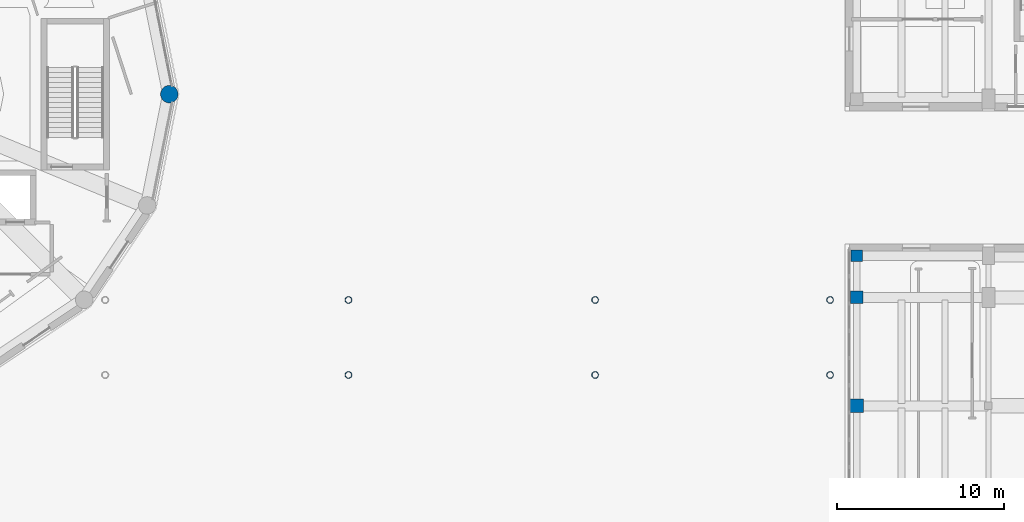
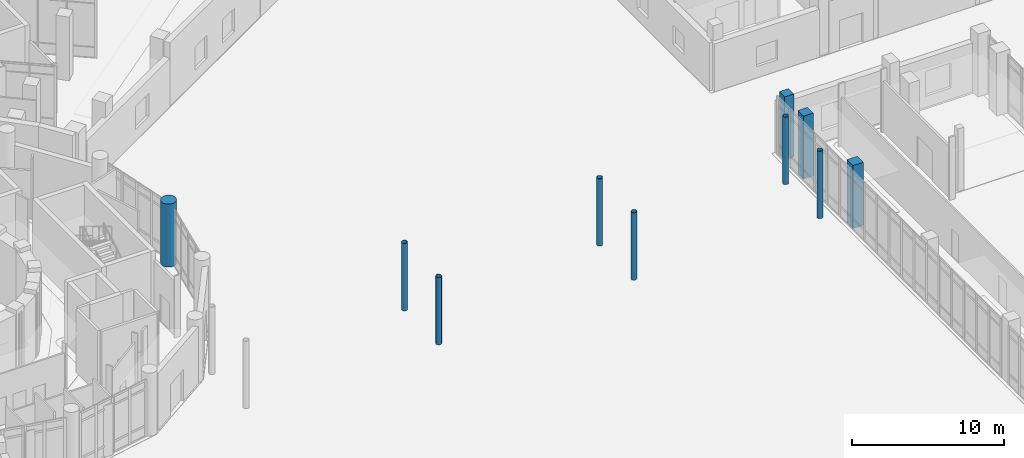
# One storey, part 5 of 74: 10 columns.
"""IFC4 building model written with IfcOpenShell, lengths in metres."""

import ifcopenshell
import ifcopenshell.guid

model = None  # the IFC model being written
_history = None  # IfcOwnerHistory: only IFC2X3 demands one
_inside = {}  # id of a spatial element -> (the spatial element, [elements in it])
_under = {}  # id of a project, library or spatial element -> (it, [spatial elements below it])
_declared = {}  # id of a project -> (the project, [libraries it declares])
_typed = {}  # id of a type object -> (the type object, [elements of that type])
_made_of = {}  # id of a material, layer set ... -> (it, [elements and type objects made of it])


def new_model(schema):
    """Start an empty IFC model of exactly this schema.

    Asked for "IFC4X3", IfcOpenShell would pick the latest addendum, in which some entities
    have other attributes; the version numbers below select the first issue.
    IFC2X3 requires an IfcOwnerHistory on every rooted entity: one is made here for all.
    """
    global model, _history
    if schema == "IFC4X3":
        model = ifcopenshell.file(schema_version=(4, 3, 0, 0))
    else:
        model = ifcopenshell.file(schema=schema)
    _inside.clear()
    _under.clear()
    _declared.clear()
    _typed.clear()
    _made_of.clear()
    _history = None
    if model.schema == "IFC2X3":
        org = make("IfcOrganization", Name="unknown")
        user = make(
            "IfcPersonAndOrganization",
            ThePerson=make("IfcPerson", FamilyName="unknown"),
            TheOrganization=org,
        )
        app = make(
            "IfcApplication",
            ApplicationDeveloper=org,
            Version="unknown",
            ApplicationFullName="unknown",
            ApplicationIdentifier="unknown",
        )
        _history = make(
            "IfcOwnerHistory",
            OwningUser=user,
            OwningApplication=app,
            ChangeAction="ADDED",
            CreationDate=0,
        )
    return model


def make(cls, **values):
    """One entity of the class cls with the attributes given. An attribute that is None is left unset."""
    return model.create_entity(
        cls, **{name: value for name, value in values.items() if value is not None}
    )


def rooted(cls, **values):
    """An entity with a GlobalId (a new one), such as an element, a storey or a relation."""
    return make(cls, GlobalId=ifcopenshell.guid.new(), OwnerHistory=_history, **values)


def si_unit(unit_type, name, prefix=None):
    """IfcSIUnit, for example si_unit("LENGTHUNIT", "METRE", prefix="MILLI")."""
    return make("IfcSIUnit", UnitType=unit_type, Prefix=prefix, Name=name)


def assignment(units):
    """IfcUnitAssignment: the units of a project."""
    return None if units is None else make("IfcUnitAssignment", Units=units)


def point(xyz):
    """IfcCartesianPoint."""
    return None if xyz is None else make("IfcCartesianPoint", Coordinates=xyz)


def direction(xyz):
    """IfcDirection."""
    return None if xyz is None else make("IfcDirection", DirectionRatios=xyz)


def frame(location, z_axis=None, x_axis=None):
    """IfcAxis2Placement3D, a coordinate frame: its origin and axes. An axis left out is left unset."""
    return make(
        "IfcAxis2Placement3D",
        Location=point(location),
        Axis=direction(z_axis),
        RefDirection=direction(x_axis),
    )


def frame_2d(location, x_axis=None):
    """IfcAxis2Placement2D, a coordinate frame in the plane: its origin and x axis."""
    return make(
        "IfcAxis2Placement2D", Location=point(location), RefDirection=direction(x_axis)
    )


def origin():
    """The frame at (0, 0, 0) with its axes left unset."""
    return frame((0.0, 0.0, 0.0))


def origin_2d():
    """The frame at (0, 0) in the plane with its x axis left unset."""
    return frame_2d((0.0, 0.0))


def place(relative_to, where):
    """IfcLocalPlacement: puts the frame where relative to a parent placement (None: the world)."""
    return make(
        "IfcLocalPlacement", PlacementRelTo=relative_to, RelativePlacement=where
    )


def context(
    kind, dimensions, precision=None, world=None, true_north=None, identifier=None
):
    """IfcGeometricRepresentationContext, for example the 3D "Model" context."""
    return make(
        "IfcGeometricRepresentationContext",
        ContextIdentifier=identifier,
        ContextType=kind,
        CoordinateSpaceDimension=dimensions,
        Precision=precision,
        WorldCoordinateSystem=world,
        TrueNorth=true_north,
    )


def subcontext(parent, identifier, kind, view, scale=None):
    """IfcGeometricRepresentationSubContext, for example "Body" below "Model"."""
    return make(
        "IfcGeometricRepresentationSubContext",
        ContextIdentifier=identifier,
        ContextType=kind,
        ParentContext=parent,
        TargetScale=scale,
        TargetView=view,
    )


def project(units=None, contexts=None):
    """IfcProject with its units and contexts."""
    return rooted(
        "IfcProject",
        Name="project",
        RepresentationContexts=contexts,
        UnitsInContext=assignment(units),
    )


def spatial(cls, under=None, at=None, **own):
    """A site, building, storey or space (cls), placed at a placement, below another one or the project."""
    s = rooted(cls, ObjectPlacement=at, **own)
    if under is not None:
        _under.setdefault(under.id(), (under, []))[1].append(s)
    return s


def profile(cls, at=None, kind="AREA", **sizes):
    """A parametric profile (cls). Its sizes go by their IFC names, for example OverallWidth=200.0."""
    return make(cls, ProfileType=kind, Position=at, **sizes)


def rectangle(**sizes):
    """IfcRectangleProfileDef."""
    return profile("IfcRectangleProfileDef", **sizes)


def circle(**sizes):
    """IfcCircleProfileDef."""
    return profile("IfcCircleProfileDef", **sizes)


def hollow_circle(**sizes):
    """IfcCircleHollowProfileDef."""
    return profile("IfcCircleHollowProfileDef", **sizes)


def extrude(swept, where, along, depth):
    """IfcExtrudedAreaSolid: the profile swept, set in the frame where, extruded along a direction by depth."""
    return make(
        "IfcExtrudedAreaSolid",
        SweptArea=swept,
        Position=where,
        ExtrudedDirection=direction(along),
        Depth=depth,
    )


def shape(context_of_items, identifier, shape_type, items):
    """IfcShapeRepresentation: the items that make up one representation, for example the "Body"."""
    return make(
        "IfcShapeRepresentation",
        ContextOfItems=context_of_items,
        RepresentationIdentifier=identifier,
        RepresentationType=shape_type,
        Items=items,
    )


def material(Name=None, Category=None):
    """IfcMaterial."""
    return make("IfcMaterial", Name=Name, Category=Category)


def material_profile(
    of_material, cross_section, Name=None, Category=None, Priority=None
):
    """IfcMaterialProfile: a cross section and its material."""
    return make(
        "IfcMaterialProfile",
        Name=Name,
        Material=of_material,
        Profile=cross_section,
        Priority=Priority,
        Category=Category,
    )


def profile_set(profiles, Name=None, composite=None):
    """IfcMaterialProfileSet."""
    return make(
        "IfcMaterialProfileSet",
        Name=Name,
        MaterialProfiles=profiles,
        CompositeProfile=composite,
    )


def made_of(thing, what):
    """Note that an element or type object is made of a material, layer set ...; save() writes the relation."""
    if what is not None:
        _made_of.setdefault(what.id(), (what, []))[1].append(thing)
    return thing


def type_object(cls, material=None, **own):
    """A type object (cls), such as IfcWallType, which elements share."""
    return made_of(rooted(cls, **own), material)


def element(
    cls,
    number,
    at=None,
    inside=None,
    cuts=None,
    type_object=None,
    material=None,
    context=None,
    identifier="Body",
    shape_type=None,
    held_by="IfcProductDefinitionShape",
    body=None,
    shapes=None,
    **own,
):
    """One element of the class cls, such as IfcWall. Its Tag is "e" and its number.

    at: its placement. inside: the storey or other place that contains it. cuts: it is an
    opening in that element (IfcRelVoidsElement). A single representation is given by context,
    identifier, shape_type and body (its items); several are given by shapes. held_by: the class
    of the entity that holds the representations. save() writes the other relations.
    """
    e = rooted(cls, Tag="e%d" % number, ObjectPlacement=at, **own)
    if body is not None:
        shapes = [shape(context, identifier, shape_type, body)]
    if shapes is not None:
        e.Representation = make(held_by, Representations=shapes)
    if inside is not None:
        _inside.setdefault(inside.id(), (inside, []))[1].append(e)
    if cuts is not None:
        rooted(
            "IfcRelVoidsElement", RelatingBuildingElement=cuts, RelatedOpeningElement=e
        )
    if type_object is not None:
        _typed.setdefault(type_object.id(), (type_object, []))[1].append(e)
    return made_of(e, material)


def aggregate(whole, parts):
    """IfcRelAggregates: a whole, such as a stair, and the parts it consists of."""
    return rooted("IfcRelAggregates", RelatingObject=whole, RelatedObjects=parts)


def save(model, path):
    """Write the relations noted so far, then the file.

    IfcRelAggregates (storeys below a building ...), IfcRelContainedInSpatialStructure (elements
    in a storey), IfcRelDefinesByType, IfcRelAssociatesMaterial and IfcRelDeclares: one each for
    every whole, place, type object, material and project.
    """
    for whole, parts in _under.values():
        aggregate(whole, parts)
    for where, things in _inside.values():
        rooted(
            "IfcRelContainedInSpatialStructure",
            RelatedElements=things,
            RelatingStructure=where,
        )
    for kind, things in _typed.values():
        rooted("IfcRelDefinesByType", RelatedObjects=things, RelatingType=kind)
    for what, things in _made_of.values():
        rooted("IfcRelAssociatesMaterial", RelatedObjects=things, RelatingMaterial=what)
    for by, libraries in _declared.values():
        rooted("IfcRelDeclares", RelatingContext=by, RelatedDefinitions=libraries)
    model.write(path)


model = new_model("IFC4")

# Units and contexts
model_context = context("Model", 3, precision=1e-05, world=origin(), true_north=direction((0.0, 1.0)))
body_context = subcontext(model_context, "Body", "Model", "MODEL_VIEW")
ifc_project = project(units=[si_unit("LENGTHUNIT", "METRE"), si_unit("AREAUNIT", "SQUARE_METRE"), si_unit("VOLUMEUNIT", "CUBIC_METRE"), si_unit("PLANEANGLEUNIT", "RADIAN"), si_unit("MASSUNIT", "GRAM", prefix="KILO")], contexts=[model_context])

# Site, building, storey
site_placement = place(None, origin())
site = spatial("IfcSite", under=ifc_project, at=site_placement, CompositionType="ELEMENT")
building_placement = place(site_placement, origin())
building = spatial("IfcBuilding", under=site, at=building_placement, Name="Soyqirgoq Riverine Aquarium", CompositionType="ELEMENT")
storey_placement = place(building_placement, origin())
storey = spatial("IfcBuildingStorey", under=building, at=storey_placement, Name="L01", CompositionType="ELEMENT", Elevation=0.0)

# Columns
ifc_material_1 = material(Name="Concrete C40/50", Category="concrete")
ifc_material_profile_1 = material_profile(ifc_material_1, circle(Radius=0.52490234375, at=origin_2d()), Name="RC-COL D1050")
ifc_profile_set_1 = profile_set([ifc_material_profile_1], Name="Concrete C40/50")
column_type_1 = type_object("IfcColumnType", Name="Col_Circ_D1050", PredefinedType="COLUMN", material=ifc_profile_set_1)
column_1_placement = place(storey_placement, frame((73.449951171875, 57.0, 0.0), z_axis=(0.0, 0.0, 1.0), x_axis=(1.0, 0.0, 0.0)))
element("IfcColumn", 1, at=column_1_placement, inside=storey, type_object=column_type_1, Name="V1 Column V1-CO01 L01", PredefinedType="COLUMN", context=body_context, shape_type="SweptSolid", body=[
    extrude(circle(Radius=0.52490234375, at=origin_2d()), origin(), (0.0, 0.0, 1.0), 5.050048828125),
])
ifc_material_2 = material(Name="Concrete C40/50", Category="concrete")
ifc_material_profile_2 = material_profile(ifc_material_2, rectangle(XDim=0.699951171875, YDim=0.699951171875, at=origin_2d()), Name="RC 700x700")
ifc_profile_set_2 = profile_set([ifc_material_profile_2], Name="Concrete C40/50")
column_type_2 = type_object("IfcColumnType", Name="Col_RC_700x700", PredefinedType="COLUMN", material=ifc_profile_set_2)
column_2_placement = place(storey_placement, frame((114.699951171875, 47.300048828125, 0.0), z_axis=(0.0, 0.0, 1.0), x_axis=(1.0, 0.0, 0.0)))
element("IfcColumn", 2, at=column_2_placement, inside=storey, type_object=column_type_2, Name="V6 Column V6-C-07 L01", PredefinedType="COLUMN", context=body_context, shape_type="SweptSolid", body=[
    extrude(rectangle(XDim=0.699951171875, YDim=0.699951171875, at=origin_2d()), origin(), (0.0, 0.0, 1.0), 5.050048828125),
])
ifc_material_3 = material(Name="Concrete C40/50", Category="concrete")
ifc_material_profile_3 = material_profile(ifc_material_3, rectangle(XDim=0.75, YDim=0.75, at=origin_2d()), Name="RC 750x750")
ifc_profile_set_3 = profile_set([ifc_material_profile_3], Name="Concrete C40/50")
column_type_3 = type_object("IfcColumnType", Name="Col_RC_750x750", PredefinedType="COLUMN", material=ifc_profile_set_3)
column_3_placement = place(storey_placement, frame((114.699951171875, 44.800048828125, 0.0), z_axis=(0.0, 0.0, 1.0), x_axis=(1.0, 0.0, 0.0)))
element("IfcColumn", 3, at=column_3_placement, inside=storey, type_object=column_type_3, Name="V6 Column V6-C-06 L01", PredefinedType="COLUMN", context=body_context, shape_type="SweptSolid", body=[
    extrude(rectangle(XDim=0.75, YDim=0.75, at=origin_2d()), origin(), (0.0, 0.0, 1.0), 5.050048828125),
])
ifc_material_4 = material(Name="Concrete C40/50", Category="concrete")
ifc_material_profile_4 = material_profile(ifc_material_4, rectangle(XDim=0.800048828125, YDim=0.800048828125, at=origin_2d()), Name="RC 800x800")
ifc_profile_set_4 = profile_set([ifc_material_profile_4], Name="Concrete C40/50")
column_type_4 = type_object("IfcColumnType", Name="Col_RC_800x800", PredefinedType="COLUMN", material=ifc_profile_set_4)
column_4_placement = place(storey_placement, frame((114.699951171875, 38.300048828125, 0.0), z_axis=(0.0, 0.0, 1.0), x_axis=(1.0, 0.0, 0.0)))
element("IfcColumn", 4, at=column_4_placement, inside=storey, type_object=column_type_4, Name="V6 Column V6-C-05 L01", PredefinedType="COLUMN", context=body_context, shape_type="SweptSolid", body=[
    extrude(rectangle(XDim=0.800048828125, YDim=0.800048828125, at=origin_2d()), origin(), (0.0, 0.0, 1.0), 5.050048828125),
])
ifc_material_5 = material(Name="Structural steel S355", Category="steel")
ifc_material_profile_5 = material_profile(ifc_material_5, hollow_circle(Radius=0.203125, WallThickness=0.01611328125, at=origin_2d()), Name="CHS 406.4x16")
ifc_profile_set_5 = profile_set([ifc_material_profile_5], Name="Structural steel S355")
column_type_5 = type_object("IfcColumnType", Name="Col_Steel_CHS406", PredefinedType="COLUMN", material=ifc_profile_set_5)
for number, where, z_axis, x_axis, name in (
    (5, (84.199951171875, 40.14990234375, 0.0), (0.0, 0.0, 1.0), (1.0, 0.0, 0.0), "Bridge Pier Column BR-1-CP-84-S L01"),
    (6, (84.199951171875, 44.64990234375, 0.0), (0.0, 0.0, 1.0), (1.0, 0.0, 0.0), "Bridge Pier Column BR-1-CP-84-N L01"),
    (7, (99.0, 40.14990234375, 0.0), (0.0, 0.0, 1.0), (1.0, 0.0, 0.0), "Bridge Pier Column BR-1-CP-99-S L01"),
    (8, (99.0, 44.64990234375, 0.0), (0.0, 0.0, 1.0), (1.0, 0.0, 0.0), "Bridge Pier Column BR-1-CP-99-N L01"),
    (9, (113.10009765625, 40.14990234375, 0.0), (0.0, 0.0, 1.0), (1.0, 0.0, 0.0), "Bridge Pier Column BR-1-CP-113-S L01"),
    (10, (113.10009765625, 44.64990234375, 0.0), (0.0, 0.0, 1.0), (1.0, 0.0, 0.0), "Bridge Pier Column BR-1-CP-113-N L01"),
):
    element("IfcColumn", number, at=place(storey_placement, frame(where, z_axis=z_axis, x_axis=x_axis)), inside=storey, type_object=column_type_5, Name=name, PredefinedType="COLUMN", context=body_context, shape_type="SweptSolid", body=[
        extrude(hollow_circle(Radius=0.203125, WallThickness=0.01611328125, at=origin_2d()), origin(), (0.0, 0.0, 1.0), 5.39990234375),
    ])

save(model, "model.ifc")
